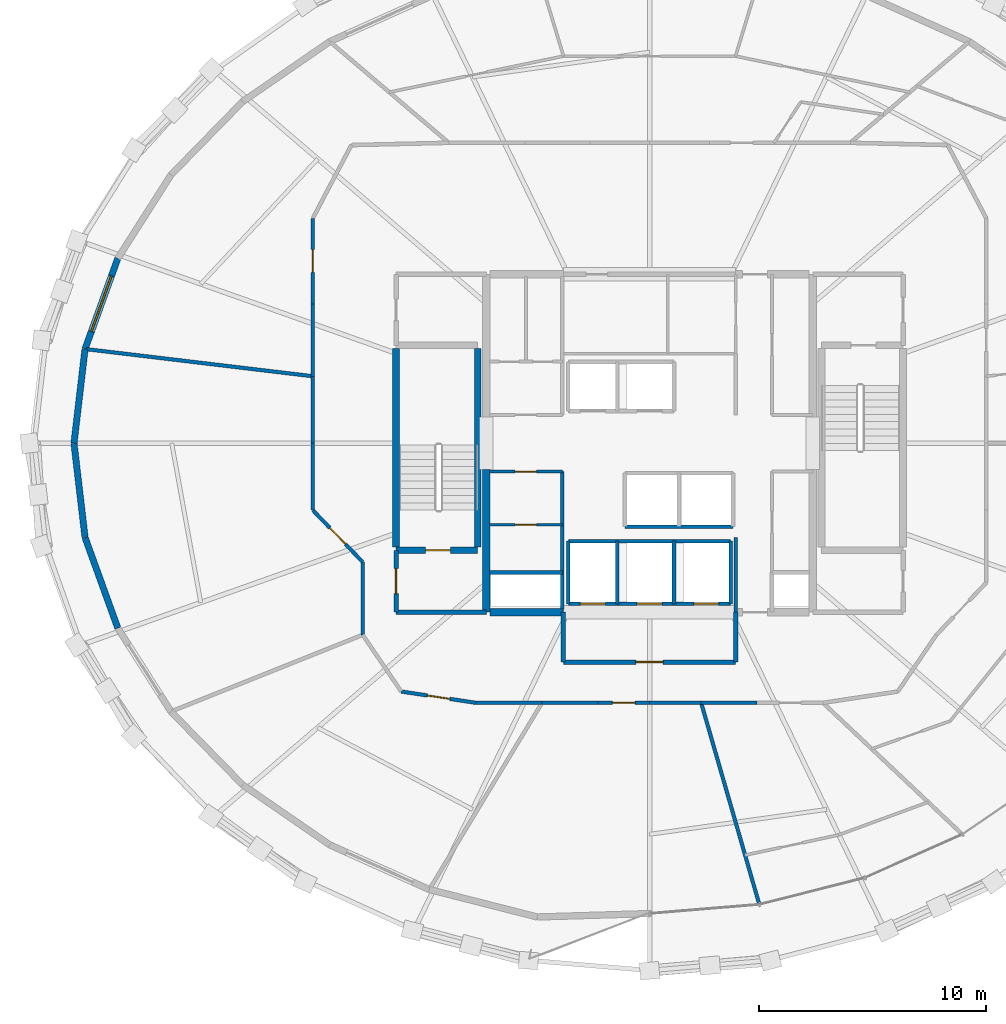
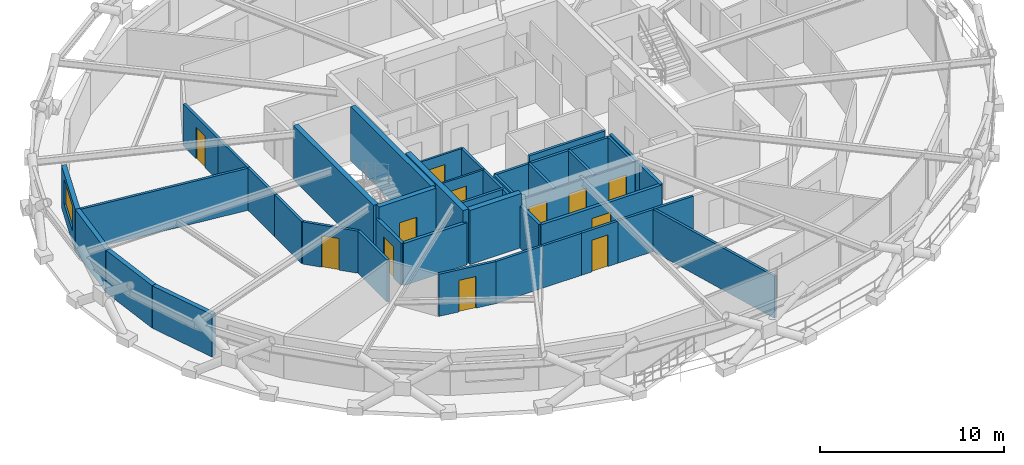
# One storey, part 12 of 16: 40 walls, 12 doors, 1 window, 13 openings.
"""IFC4 building model written with IfcOpenShell, lengths in metres."""

from ifc_helpers import new_model, si_unit, direction, frame, frame_2d, origin, place, context, subcontext, project, spatial, rectangle, extrude, material, layer, layer_set, type_object, element, fill, save


model = new_model("IFC4")

# Units and contexts
model_context = context("Model", 3, precision=1e-05, world=origin(), true_north=direction((0.0, 1.0)))
body_context = subcontext(model_context, "Body", "Model", "MODEL_VIEW")
ifc_project = project(units=[si_unit("LENGTHUNIT", "METRE"), si_unit("AREAUNIT", "SQUARE_METRE"), si_unit("VOLUMEUNIT", "CUBIC_METRE"), si_unit("PLANEANGLEUNIT", "RADIAN"), si_unit("MASSUNIT", "GRAM", prefix="KILO")], contexts=[model_context])

# Site, building, storey
site_placement = place(None, origin())
site = spatial("IfcSite", under=ifc_project, at=site_placement, CompositionType="ELEMENT")
building_placement = place(site_placement, origin())
building = spatial("IfcBuilding", under=site, at=building_placement, Name="Veldorina Hangang Commons", CompositionType="ELEMENT")
storey_placement = place(building_placement, frame((0.0, 0.0, 185.60009765625)))
storey = spatial("IfcBuildingStorey", under=building, at=storey_placement, Name="L48", CompositionType="ELEMENT", Elevation=185.60009765625)

# Walls
ifc_material_1 = material(Name="Concrete C60/75", Category="concrete")
ifc_layer_1 = layer(ifc_material_1, 0.340087890625)
ifc_layer_set_1 = layer_set([ifc_layer_1], Name="Concrete C60/75")
wall_type_1 = type_object("IfcWallType", Name="CW-RC340-C60", PredefinedType="SHEAR", material=ifc_layer_set_1)
wall_1_placement = place(storey_placement, frame((24.800048828125, 16.550048828125, 0.0), z_axis=(0.0, 0.0, 1.0), x_axis=(0.0, 1.0, 0.0)))
element("IfcWall", 1, at=wall_1_placement, inside=storey, type_object=wall_type_1, Name="L48 W south core shear wall", PredefinedType="SHEAR", context=body_context, shape_type="SweptSolid", body=[
    extrude(rectangle(XDim=6.300048828125, YDim=0.340087890625, at=frame_2d((3.14990234375, 0.0))), origin(), (0.0, 0.0, 1.0), 3.599853515625),
])
wall_2_placement = place(storey_placement, frame((24.969970703125, 16.550048828125, 0.0), z_axis=(0.0, 0.0, 1.0), x_axis=(1.0, 0.0, 0.0)))
element("IfcWall", 2, at=wall_2_placement, inside=storey, type_object=wall_type_1, Name="L48 south-west core shear wall", PredefinedType="SHEAR", context=body_context, shape_type="SweptSolid", body=[
    extrude(rectangle(XDim=3.22998046875, YDim=0.340087890625, at=frame_2d((1.614990234375, 0.0))), origin(), (0.0, 0.0, 1.0), 3.599853515625),
])

# Wall, opening, window
ifc_material_2 = material(Name="Stone Roman Travertine", Category="masonry")
ifc_layer_2 = layer(ifc_material_2, 0.280029296875)
ifc_layer_set_2 = layer_set([ifc_layer_2], Name="Stone Roman Travertine")
wall_type_2 = type_object("IfcWallType", Name="EW-TRAV-280", PredefinedType="STANDARD", material=ifc_layer_set_2)
wall_3_placement = place(storey_placement, frame((8.548828125, 32.152587890625, 0.0), z_axis=(0.0, 0.0, 1.0), x_axis=(-0.339929618066, -0.940450878442, 0.0)))
wall_3 = element("IfcWall", 3, at=wall_3_placement, inside=storey, type_object=wall_type_2, Name="L48 travertine facade wall 14", PredefinedType="STANDARD", context=body_context, shape_type="SweptSolid", body=[
    extrude(rectangle(XDim=4.249755859375, YDim=0.280029296875, at=frame_2d((2.125, 0.0))), origin(), (0.0, 0.0, 1.0), 2.81982421875),
])
opening_1_placement = place(wall_3_placement, frame((0.82470703125, 0.0, 0.800048828125)))
opening_1 = element("IfcOpeningElement", 4, at=opening_1_placement, cuts=wall_3, Name="Opening W-02", PredefinedType="OPENING", context=body_context, shape_type="SweptSolid", body=[
    extrude(rectangle(XDim=2.60009765625, YDim=1.64990234375, at=frame_2d((1.300048828125, 0.824951171875))), frame((0.0, 0.14990234375, 0.0), z_axis=(0.0, -1.0, 0.0), x_axis=(1.0, 0.0, 0.0)), (0.0, 0.0, 1.0), 0.300048828125),
])
ifc_material_3 = material(Name="Glass Low-E Triple IGU", Category="glass")
window_type = type_object("IfcWindowType", Name="WIN-TWR-2600", PartitioningType="SINGLE_PANEL", PredefinedType="WINDOW", material=ifc_material_3)
window_placement = place(opening_1_placement, origin())
window = element("IfcWindow", 5, at=window_placement, inside=storey, type_object=window_type, Name="L48 facade window 14", OverallHeight=1.64990234375, OverallWidth=2.60009765625, PartitioningType="SINGLE_PANEL", PredefinedType="WINDOW", context=body_context, shape_type="SweptSolid", body=[
    extrude(rectangle(XDim=2.60009765625, YDim=1.64990234375, at=frame_2d((1.300048828125, 0.824951171875))), frame((0.0, 0.030029296875, 0.0), z_axis=(0.0, -1.0, 0.0), x_axis=(1.0, 0.0, 0.0)), (0.0, 0.0, 1.0), 0.06005859375),
])
fill(opening_1, window)

# Walls
for number, where, z_axis, x_axis, name in (
    (6, (7.104248046875, 28.156005859375, 0.0), (0.0, 0.0, 1.0), (-0.116512882188, -0.993189180511, 0.0), "L48 travertine facade wall 15"),
    (7, (6.61669921875, 24.0, 0.0), (0.0, 0.0, 1.0), (0.116512882188, -0.993189180511, 0.0), "L48 travertine facade wall 16"),
):
    element("IfcWall", number, at=place(storey_placement, frame(where, z_axis=z_axis, x_axis=x_axis)), inside=storey, type_object=wall_type_2, Name=name, PredefinedType="STANDARD", context=body_context, shape_type="SweptSolid", body=[
        extrude(rectangle(XDim=4.1845703125, YDim=0.280029296875, at=frame_2d((2.09228515625, 0.0))), origin(), (0.0, 0.0, 1.0), 2.81982421875),
    ])
wall_4_placement = place(storey_placement, frame((7.104248046875, 19.843994140625, 0.0), z_axis=(0.0, 0.0, 1.0), x_axis=(0.339929618066, -0.940450878442, 0.0)))
element("IfcWall", 8, at=wall_4_placement, inside=storey, type_object=wall_type_2, Name="L48 travertine facade wall 17", PredefinedType="STANDARD", context=body_context, shape_type="SweptSolid", body=[
    extrude(rectangle(XDim=4.249755859375, YDim=0.280029296875, at=frame_2d((2.125, 0.0))), origin(), (0.0, 0.0, 1.0), 2.81982421875),
])
ifc_material_4 = material(Name="Concrete C50/60", Category="concrete")
ifc_layer_3 = layer(ifc_material_4, 0.300048828125)
ifc_layer_set_3 = layer_set([ifc_layer_3], Name="Concrete C50/60")
wall_type_3 = type_object("IfcWallType", Name="SW-STAIR-300", PredefinedType="SHEAR", material=ifc_layer_set_3)
for number, where, z_axis, x_axis, name in (
    (9, (20.820068359375, 19.429931640625, 0.0), (0.0, 0.0, 1.0), (0.0, 1.0, 0.0), "L48 ST1 outer stair shear wall"),
    (10, (24.419921875, 19.429931640625, 0.0), (0.0, 0.0, 1.0), (0.0, 1.0, 0.0), "L48 ST1 inner stair shear wall"),
):
    element("IfcWall", number, at=place(storey_placement, frame(where, z_axis=z_axis, x_axis=x_axis)), inside=storey, type_object=wall_type_3, Name=name, PredefinedType="SHEAR", context=body_context, shape_type="SweptSolid", body=[
        extrude(rectangle(XDim=8.739990234375, YDim=0.300048828125, at=frame_2d((4.3701171875, 0.0))), origin(), (0.0, 0.0, 1.0), 3.599853515625),
    ])

# Wall, opening, door
wall_5_placement = place(storey_placement, frame((20.820068359375, 19.280029296875, 0.0), z_axis=(0.0, 0.0, 1.0), x_axis=(1.0, 0.0, 0.0)))
wall_5 = element("IfcWall", 11, at=wall_5_placement, inside=storey, type_object=wall_type_3, Name="L48 ST1 south stair shear wall", PredefinedType="SHEAR", context=body_context, shape_type="SweptSolid", body=[
    extrude(rectangle(XDim=3.599853515625, YDim=0.300048828125, at=frame_2d((1.7998046875, 0.0))), origin(), (0.0, 0.0, 1.0), 3.599853515625),
])
opening_2_placement = place(wall_5_placement, frame((1.300048828125, 0.0, 0.0)))
opening_2 = element("IfcOpeningElement", 12, at=opening_2_placement, cuts=wall_5, Name="Opening D-08", PredefinedType="OPENING", context=body_context, shape_type="SweptSolid", body=[
    extrude(rectangle(XDim=1.10009765625, YDim=2.10009765625, at=frame_2d((0.550048828125, 1.050048828125))), frame((0.0, 0.16015625, 0.0), z_axis=(0.0, -1.0, 0.0), x_axis=(1.0, 0.0, 0.0)), (0.0, 0.0, 1.0), 0.320068359375),
])
ifc_material_5 = material(Name="Steel Fire-Rated Smoke Seal", Category="steel")
door_type_1 = type_object("IfcDoorType", Name="DR-FIRE-1100", OperationType="SINGLE_SWING_RIGHT", PredefinedType="DOOR", material=ifc_material_5)
door_1_placement = place(opening_2_placement, origin())
door_1 = element("IfcDoor", 13, at=door_1_placement, inside=storey, type_object=door_type_1, Name="L48 Special Escape Stair ST-1 door", OperationType="SINGLE_SWING_LEFT", OverallHeight=2.10009765625, OverallWidth=1.10009765625, PredefinedType="DOOR", context=body_context, shape_type="SweptSolid", body=[
    extrude(rectangle(XDim=1.10009765625, YDim=2.10009765625, at=frame_2d((0.550048828125, 1.050048828125))), frame((0.0, 0.02490234375, 0.0), z_axis=(0.0, -1.0, 0.0), x_axis=(1.0, 0.0, 0.0)), (0.0, 0.0, 1.0), 0.050048828125),
])
fill(opening_2, door_1)

# Walls
ifc_material_6 = material(Name="Gypsum Fire-Rated Twin Stud Wall", Category="gypsum")
ifc_layer_4 = layer(ifc_material_6, 0.159912109375)
ifc_layer_set_4 = layer_set([ifc_layer_4], Name="Gypsum Fire-Rated Twin Stud Wall")
wall_type_4 = type_object("IfcWallType", Name="WL-FIRE-160", PredefinedType="SOLIDWALL", material=ifc_layer_set_4)
wall_6_placement = place(storey_placement, frame((35.800048828125, 16.550048828125, 0.0), z_axis=(0.0, 0.0, 1.0), x_axis=(0.0, 1.0, 0.0)))
element("IfcWall", 14, at=wall_6_placement, inside=storey, type_object=wall_type_4, Name="L48 Lift passage SW wall 009", PredefinedType="SOLIDWALL", context=body_context, shape_type="SweptSolid", body=[
    extrude(rectangle(XDim=3.300048828125, YDim=0.159912109375, at=frame_2d((1.64990234375, 0.0))), origin(), (0.0, 0.0, 1.0), 2.7998046875),
])
wall_7_placement = place(storey_placement, frame((30.919921875, 20.320068359375, 0.0), z_axis=(0.0, 0.0, 1.0), x_axis=(1.0, 0.0, 0.0)))
element("IfcWall", 15, at=wall_7_placement, inside=storey, type_object=wall_type_4, Name="L48 Shuttle-high rear shaft wall 021", PredefinedType="SOLIDWALL", context=body_context, shape_type="SweptSolid", body=[
    extrude(rectangle(XDim=4.760009765625, YDim=0.159912109375, at=frame_2d((2.3798828125, 0.0))), origin(), (0.0, 0.0, 1.0), 2.7998046875),
])

# Wall, openings, doors
wall_8_placement = place(storey_placement, frame((28.419921875, 16.919921875, 0.0), z_axis=(0.0, 0.0, 1.0), x_axis=(1.0, 0.0, 0.0)))
wall_8 = element("IfcWall", 16, at=wall_8_placement, inside=storey, type_object=wall_type_4, Name="L48 Emergency front shaft wall 025", PredefinedType="SOLIDWALL", context=body_context, shape_type="SweptSolid", body=[
    extrude(rectangle(XDim=7.16015625, YDim=0.159912109375, at=frame_2d((3.580078125, 0.0))), origin(), (0.0, 0.0, 1.0), 2.7998046875),
])
opening_3_placement = place(wall_8_placement, frame((0.530029296875, 0.0, 0.0)))
opening_3 = element("IfcOpeningElement", 17, at=opening_3_placement, cuts=wall_8, Name="Opening LD-03", PredefinedType="OPENING", context=body_context, shape_type="SweptSolid", body=[
    extrude(rectangle(XDim=1.10009765625, YDim=2.14990234375, at=frame_2d((0.550048828125, 1.074951171875))), frame((0.0, 0.08984375, 0.0), z_axis=(0.0, -1.0, 0.0), x_axis=(1.0, 0.0, 0.0)), (0.0, 0.0, 1.0), 0.179931640625),
])
opening_4_placement = place(wall_8_placement, frame((3.030029296875, 0.0, 0.0)))
opening_4 = element("IfcOpeningElement", 18, at=opening_4_placement, cuts=wall_8, Name="Opening LD-03", PredefinedType="OPENING", context=body_context, shape_type="SweptSolid", body=[
    extrude(rectangle(XDim=1.10009765625, YDim=2.14990234375, at=frame_2d((0.550048828125, 1.074951171875))), frame((0.0, 0.08984375, 0.0), z_axis=(0.0, -1.0, 0.0), x_axis=(1.0, 0.0, 0.0)), (0.0, 0.0, 1.0), 0.179931640625),
])
opening_5_placement = place(wall_8_placement, frame((5.530029296875, 0.0, 0.0)))
opening_5 = element("IfcOpeningElement", 19, at=opening_5_placement, cuts=wall_8, Name="Opening LD-03", PredefinedType="OPENING", context=body_context, shape_type="SweptSolid", body=[
    extrude(rectangle(XDim=1.10009765625, YDim=2.14990234375, at=frame_2d((0.550048828125, 1.074951171875))), frame((0.0, 0.08984375, 0.0), z_axis=(0.0, -1.0, 0.0), x_axis=(1.0, 0.0, 0.0)), (0.0, 0.0, 1.0), 0.179931640625),
])
ifc_material_7 = material(Name="Stainless Steel Firefighting Lift Door", Category="steel")
door_type_2 = type_object("IfcDoorType", Name="DR-LIFT-FF1100", OperationType="SLIDING_TO_RIGHT", PredefinedType="DOOR", material=ifc_material_7)
door_2_placement = place(opening_3_placement, origin())
door_2 = element("IfcDoor", 20, at=door_2_placement, inside=storey, type_object=door_type_2, Name="L48 Emergency lift FFL-1 landing door 008", OperationType="SLIDING_TO_RIGHT", OverallHeight=2.14990234375, OverallWidth=1.10009765625, PredefinedType="DOOR", context=body_context, shape_type="SweptSolid", body=[
    extrude(rectangle(XDim=1.10009765625, YDim=2.14990234375, at=frame_2d((0.550048828125, 1.074951171875))), frame((0.0, 0.02490234375, 0.0), z_axis=(0.0, -1.0, 0.0), x_axis=(1.0, 0.0, 0.0)), (0.0, 0.0, 1.0), 0.050048828125),
])
fill(opening_3, door_2)
door_3_placement = place(opening_4_placement, origin())
door_3 = element("IfcDoor", 21, at=door_3_placement, inside=storey, type_object=door_type_2, Name="L48 Emergency lift FFL-2 landing door 009", OperationType="SLIDING_TO_RIGHT", OverallHeight=2.14990234375, OverallWidth=1.10009765625, PredefinedType="DOOR", context=body_context, shape_type="SweptSolid", body=[
    extrude(rectangle(XDim=1.10009765625, YDim=2.14990234375, at=frame_2d((0.550048828125, 1.074951171875))), frame((0.0, 0.02490234375, 0.0), z_axis=(0.0, -1.0, 0.0), x_axis=(1.0, 0.0, 0.0)), (0.0, 0.0, 1.0), 0.050048828125),
])
fill(opening_4, door_3)
door_4_placement = place(opening_5_placement, origin())
door_4 = element("IfcDoor", 22, at=door_4_placement, inside=storey, type_object=door_type_2, Name="L48 Emergency lift EVL-1 landing door 010", OperationType="SLIDING_TO_RIGHT", OverallHeight=2.14990234375, OverallWidth=1.10009765625, PredefinedType="DOOR", context=body_context, shape_type="SweptSolid", body=[
    extrude(rectangle(XDim=1.10009765625, YDim=2.14990234375, at=frame_2d((0.550048828125, 1.074951171875))), frame((0.0, 0.02490234375, 0.0), z_axis=(0.0, -1.0, 0.0), x_axis=(1.0, 0.0, 0.0)), (0.0, 0.0, 1.0), 0.050048828125),
])
fill(opening_5, door_4)

# Walls
wall_9_placement = place(storey_placement, frame((28.419921875, 19.679931640625, 0.0), z_axis=(0.0, 0.0, 1.0), x_axis=(1.0, 0.0, 0.0)))
element("IfcWall", 23, at=wall_9_placement, inside=storey, type_object=wall_type_4, Name="L48 Emergency rear shaft wall 026", PredefinedType="SOLIDWALL", context=body_context, shape_type="SweptSolid", body=[
    extrude(rectangle(XDim=7.16015625, YDim=0.159912109375, at=frame_2d((3.580078125, 0.0))), origin(), (0.0, 0.0, 1.0), 2.7998046875),
])
for number, where, z_axis, x_axis, name in (
    (24, (28.419921875, 16.919921875, 0.0), (0.0, 0.0, 1.0), (0.0, 1.0, 0.0), "L48 FFL-1 west shaft wall 027"),
    (25, (30.580078125, 16.919921875, 0.0), (0.0, 0.0, 1.0), (0.0, 1.0, 0.0), "L48 FFL-1 east shaft wall 028"),
    (26, (33.080078125, 16.919921875, 0.0), (0.0, 0.0, 1.0), (0.0, 1.0, 0.0), "L48 FFL-2 east shaft wall 029"),
    (27, (35.580078125, 16.919921875, 0.0), (0.0, 0.0, 1.0), (0.0, 1.0, 0.0), "L48 EVL-1 east shaft wall 030"),
):
    element("IfcWall", number, at=place(storey_placement, frame(where, z_axis=z_axis, x_axis=x_axis)), inside=storey, type_object=wall_type_4, Name=name, PredefinedType="SOLIDWALL", context=body_context, shape_type="SweptSolid", body=[
        extrude(rectangle(XDim=2.760009765625, YDim=0.159912109375, at=frame_2d((1.3798828125, 0.0))), origin(), (0.0, 0.0, 1.0), 2.7998046875),
    ])
wall_10_placement = place(storey_placement, frame((24.949951171875, 18.300048828125, 0.0), z_axis=(0.0, 0.0, 1.0), x_axis=(1.0, 0.0, 0.0)))
element("IfcWall", 28, at=wall_10_placement, inside=storey, type_object=wall_type_4, Name="L48 Electrical riser wall 035", PredefinedType="SOLIDWALL", context=body_context, shape_type="SweptSolid", body=[
    extrude(rectangle(XDim=3.199951171875, YDim=0.159912109375, at=frame_2d((1.60009765625, 0.0))), origin(), (0.0, 0.0, 1.0), 2.7998046875),
])
wall_11_placement = place(storey_placement, frame((28.14990234375, 16.699951171875, 0.0), z_axis=(0.0, 0.0, 1.0), x_axis=(0.0, 1.0, 0.0)))
element("IfcWall", 29, at=wall_11_placement, inside=storey, type_object=wall_type_4, Name="L48 SW core inner wall 036", PredefinedType="SOLIDWALL", context=body_context, shape_type="SweptSolid", body=[
    extrude(rectangle(XDim=6.050048828125, YDim=0.159912109375, at=frame_2d((3.02490234375, 0.0))), origin(), (0.0, 0.0, 1.0), 2.7998046875),
])

# Wall, opening, door
wall_12_placement = place(storey_placement, frame((17.14990234375, 33.922607421875, 0.0), z_axis=(0.0, 0.0, 1.0), x_axis=(0.0, -1.0, 0.0)))
wall_12 = element("IfcWall", 30, at=wall_12_placement, inside=storey, type_object=wall_type_4, Name="L48 U-corridor outer wall 13 061", PredefinedType="SOLIDWALL", context=body_context, shape_type="SweptSolid", body=[
    extrude(rectangle(XDim=3.771484375, YDim=0.159912109375, at=frame_2d((1.8857421875, 0.0))), origin(), (0.0, 0.0, 1.0), 2.7998046875),
])
opening_6_placement = place(wall_12_placement, frame((1.3857421875, 0.0, 0.0)))
opening_6 = element("IfcOpeningElement", 31, at=opening_6_placement, cuts=wall_12, Name="Opening D-05", PredefinedType="OPENING", context=body_context, shape_type="SweptSolid", body=[
    extrude(rectangle(XDim=1.0, YDim=2.10009765625, at=frame_2d((0.5, 1.050048828125))), frame((0.0, 0.08984375, 0.0), z_axis=(0.0, -1.0, 0.0), x_axis=(1.0, 0.0, 0.0)), (0.0, 0.0, 1.0), 0.179931640625),
])
ifc_material_8 = material(Name="Timber Solid Core Acoustic", Category="wood")
door_type_3 = type_object("IfcDoorType", Name="DR-INT-1000", OperationType="SINGLE_SWING_RIGHT", PredefinedType="DOOR", material=ifc_material_8)
door_5_placement = place(opening_6_placement, origin())
door_5 = element("IfcDoor", 32, at=door_5_placement, inside=storey, type_object=door_type_3, Name="L48 Floor Study Room 4 door 032", OperationType="SINGLE_SWING_RIGHT", OverallHeight=2.10009765625, OverallWidth=1.0, PredefinedType="DOOR", context=body_context, shape_type="SweptSolid", body=[
    extrude(rectangle(XDim=1.0, YDim=2.10009765625, at=frame_2d((0.5, 1.050048828125))), frame((0.0, 0.02490234375, 0.0), z_axis=(0.0, -1.0, 0.0), x_axis=(1.0, 0.0, 0.0)), (0.0, 0.0, 1.0), 0.050048828125),
])
fill(opening_6, door_5)

# Walls
wall_13_placement = place(storey_placement, frame((17.14990234375, 30.151123046875, 0.0), z_axis=(0.0, 0.0, 1.0), x_axis=(0.0, -1.0, 0.0)))
element("IfcWall", 33, at=wall_13_placement, inside=storey, type_object=wall_type_4, Name="L48 U-corridor outer wall 14 062", PredefinedType="SOLIDWALL", context=body_context, shape_type="SweptSolid", body=[
    extrude(rectangle(XDim=3.197265625, YDim=0.159912109375, at=frame_2d((1.5986328125, 0.0))), origin(), (0.0, 0.0, 1.0), 2.7998046875),
])
for number, where, z_axis, x_axis, name in (
    (34, (17.14990234375, 26.953857421875, 0.0), (0.0, 0.0, 1.0), (0.0, -1.0, 0.0), "L48 U-corridor outer wall 15 063"),
    (35, (17.14990234375, 24.0, 0.0), (0.0, 0.0, 1.0), (0.0, -1.0, 0.0), "L48 U-corridor outer wall 16 064"),
):
    element("IfcWall", number, at=place(storey_placement, frame(where, z_axis=z_axis, x_axis=x_axis)), inside=storey, type_object=wall_type_4, Name=name, PredefinedType="SOLIDWALL", context=body_context, shape_type="SweptSolid", body=[
        extrude(rectangle(XDim=2.953857421875, YDim=0.159912109375, at=frame_2d((1.47705078125, 0.0))), origin(), (0.0, 0.0, 1.0), 2.7998046875),
    ])

# Wall, opening, door
wall_14_placement = place(storey_placement, frame((17.14990234375, 21.046142578125, 0.0), z_axis=(0.0, 0.0, 1.0), x_axis=(0.693473090138, -0.72048252807, 0.0)))
wall_14 = element("IfcWall", 36, at=wall_14_placement, inside=storey, type_object=wall_type_4, Name="L48 U-corridor outer wall 17 065", PredefinedType="SOLIDWALL", context=body_context, shape_type="SweptSolid", body=[
    extrude(rectangle(XDim=3.172607421875, YDim=0.159912109375, at=frame_2d((1.58642578125, 0.0))), origin(), (0.0, 0.0, 1.0), 2.7998046875),
])
opening_7_placement = place(wall_14_placement, frame((1.086181640625, 0.0, 0.0)))
opening_7 = element("IfcOpeningElement", 37, at=opening_7_placement, cuts=wall_14, Name="Opening D-05", PredefinedType="OPENING", context=body_context, shape_type="SweptSolid", body=[
    extrude(rectangle(XDim=1.0, YDim=2.10009765625, at=frame_2d((0.5, 1.050048828125))), frame((0.0, 0.08984375, 0.0), z_axis=(0.0, -1.0, 0.0), x_axis=(1.0, 0.0, 0.0)), (0.0, 0.0, 1.0), 0.179931640625),
])
door_6_placement = place(opening_7_placement, origin())
door_6 = element("IfcDoor", 38, at=door_6_placement, inside=storey, type_object=door_type_3, Name="L48 Floor Study Room 5 door 033", OperationType="SINGLE_SWING_LEFT", OverallHeight=2.10009765625, OverallWidth=1.0, PredefinedType="DOOR", context=body_context, shape_type="SweptSolid", body=[
    extrude(rectangle(XDim=1.0, YDim=2.10009765625, at=frame_2d((0.5, 1.050048828125))), frame((0.0, 0.02490234375, 0.0), z_axis=(0.0, -1.0, 0.0), x_axis=(1.0, 0.0, 0.0)), (0.0, 0.0, 1.0), 0.050048828125),
])
fill(opening_7, door_6)

# Wall
wall_15_placement = place(storey_placement, frame((19.35009765625, 18.76025390625, 0.0), z_axis=(0.0, 0.0, 1.0), x_axis=(0.0, -1.0, 0.0)))
element("IfcWall", 39, at=wall_15_placement, inside=storey, type_object=wall_type_4, Name="L48 U-corridor outer wall 18 066", PredefinedType="SOLIDWALL", context=body_context, shape_type="SweptSolid", body=[
    extrude(rectangle(XDim=3.212646484375, YDim=0.159912109375, at=frame_2d((1.6064453125, 0.0))), origin(), (0.0, 0.0, 1.0), 2.7998046875),
])

# Wall, opening, door
wall_16_placement = place(storey_placement, frame((21.050048828125, 13.050048828125, 0.0), z_axis=(0.0, 0.0, 1.0), x_axis=(0.988710906508, -0.149835721217, 0.0)))
wall_16 = element("IfcWall", 40, at=wall_16_placement, inside=storey, type_object=wall_type_4, Name="L48 U-corridor outer wall 20 068", PredefinedType="SOLIDWALL", context=body_context, shape_type="SweptSolid", body=[
    extrude(rectangle(XDim=3.3369140625, YDim=0.159912109375, at=frame_2d((1.66845703125, 0.0))), origin(), (0.0, 0.0, 1.0), 2.7998046875),
])
opening_8_placement = place(wall_16_placement, frame((1.16845703125, 0.0, 0.0)))
opening_8 = element("IfcOpeningElement", 41, at=opening_8_placement, cuts=wall_16, Name="Opening D-05", PredefinedType="OPENING", context=body_context, shape_type="SweptSolid", body=[
    extrude(rectangle(XDim=1.0, YDim=2.10009765625, at=frame_2d((0.5, 1.050048828125))), frame((0.0, 0.08984375, 0.0), z_axis=(0.0, -1.0, 0.0), x_axis=(1.0, 0.0, 0.0)), (0.0, 0.0, 1.0), 0.179931640625),
])
door_7_placement = place(opening_8_placement, origin())
door_7 = element("IfcDoor", 42, at=door_7_placement, inside=storey, type_object=door_type_3, Name="L48 Seminar Focus Room 6 door 034", OperationType="SINGLE_SWING_RIGHT", OverallHeight=2.10009765625, OverallWidth=1.0, PredefinedType="DOOR", context=body_context, shape_type="SweptSolid", body=[
    extrude(rectangle(XDim=1.0, YDim=2.10009765625, at=frame_2d((0.5, 1.050048828125))), frame((0.0, 0.02490234375, 0.0), z_axis=(0.0, -1.0, 0.0), x_axis=(1.0, 0.0, 0.0)), (0.0, 0.0, 1.0), 0.050048828125),
])
fill(opening_8, door_7)

# Walls
wall_17_placement = place(storey_placement, frame((24.349365234375, 12.550048828125, 0.0), z_axis=(0.0, 0.0, 1.0), x_axis=(1.0, 0.0, 0.0)))
element("IfcWall", 43, at=wall_17_placement, inside=storey, type_object=wall_type_4, Name="L48 U-corridor outer wall 21 069", PredefinedType="SOLIDWALL", context=body_context, shape_type="SweptSolid", body=[
    extrude(rectangle(XDim=2.907958984375, YDim=0.159912109375, at=frame_2d((1.4541015625, 0.0))), origin(), (0.0, 0.0, 1.0), 2.7998046875),
])
wall_18_placement = place(storey_placement, frame((27.25732421875, 12.550048828125, 0.0), z_axis=(0.0, 0.0, 1.0), x_axis=(1.0, 0.0, 0.0)))
element("IfcWall", 44, at=wall_18_placement, inside=storey, type_object=wall_type_4, Name="L48 U-corridor outer wall 22 070", PredefinedType="SOLIDWALL", context=body_context, shape_type="SweptSolid", body=[
    extrude(rectangle(XDim=2.465087890625, YDim=0.159912109375, at=frame_2d((1.232421875, 0.0))), origin(), (0.0, 0.0, 1.0), 2.7998046875),
])

# Wall, opening, door
wall_19_placement = place(storey_placement, frame((29.722412109375, 12.550048828125, 0.0), z_axis=(0.0, 0.0, 1.0), x_axis=(1.0, 0.0, 0.0)))
wall_19 = element("IfcWall", 45, at=wall_19_placement, inside=storey, type_object=wall_type_4, Name="L48 U-corridor outer wall 23 071", PredefinedType="SOLIDWALL", context=body_context, shape_type="SweptSolid", body=[
    extrude(rectangle(XDim=2.277587890625, YDim=0.159912109375, at=frame_2d((1.138671875, 0.0))), origin(), (0.0, 0.0, 1.0), 2.7998046875),
])
opening_9_placement = place(wall_19_placement, frame((0.638671875, 0.0, 0.0)))
opening_9 = element("IfcOpeningElement", 46, at=opening_9_placement, cuts=wall_19, Name="Opening D-05", PredefinedType="OPENING", context=body_context, shape_type="SweptSolid", body=[
    extrude(rectangle(XDim=1.0, YDim=2.10009765625, at=frame_2d((0.5, 1.050048828125))), frame((0.0, 0.08984375, 0.0), z_axis=(0.0, -1.0, 0.0), x_axis=(1.0, 0.0, 0.0)), (0.0, 0.0, 1.0), 0.179931640625),
])
door_8_placement = place(opening_9_placement, origin())
door_8 = element("IfcDoor", 47, at=door_8_placement, inside=storey, type_object=door_type_3, Name="L48 Seminar Focus Room 7 door 035", OperationType="SINGLE_SWING_LEFT", OverallHeight=2.10009765625, OverallWidth=1.0, PredefinedType="DOOR", context=body_context, shape_type="SweptSolid", body=[
    extrude(rectangle(XDim=1.0, YDim=2.10009765625, at=frame_2d((0.5, 1.050048828125))), frame((0.0, 0.02490234375, 0.0), z_axis=(0.0, -1.0, 0.0), x_axis=(1.0, 0.0, 0.0)), (0.0, 0.0, 1.0), 0.050048828125),
])
fill(opening_9, door_8)

# Walls
wall_20_placement = place(storey_placement, frame((32.0, 12.550048828125, 0.0), z_axis=(0.0, 0.0, 1.0), x_axis=(1.0, 0.0, 0.0)))
element("IfcWall", 48, at=wall_20_placement, inside=storey, type_object=wall_type_4, Name="L48 U-corridor outer wall 24 072", PredefinedType="SOLIDWALL", context=body_context, shape_type="SweptSolid", body=[
    extrude(rectangle(XDim=2.277587890625, YDim=0.159912109375, at=frame_2d((1.138671875, 0.0))), origin(), (0.0, 0.0, 1.0), 2.7998046875),
])
wall_21_placement = place(storey_placement, frame((34.277587890625, 12.550048828125, 0.0), z_axis=(0.0, 0.0, 1.0), x_axis=(1.0, 0.0, 0.0)))
element("IfcWall", 49, at=wall_21_placement, inside=storey, type_object=wall_type_4, Name="L48 U-corridor outer wall 25 073", PredefinedType="SOLIDWALL", context=body_context, shape_type="SweptSolid", body=[
    extrude(rectangle(XDim=2.465087890625, YDim=0.159912109375, at=frame_2d((1.232421875, 0.0))), origin(), (0.0, 0.0, 1.0), 2.7998046875),
])
wall_22_placement = place(storey_placement, frame((17.14990234375, 26.953857421875, 0.0), z_axis=(0.0, 0.0, 1.0), x_axis=(-0.992914884823, 0.118827738756, 0.0)))
element("IfcWall", 50, at=wall_22_placement, inside=storey, type_object=wall_type_4, Name="L48 Unit party wall 15 103", PredefinedType="SOLIDWALL", context=body_context, shape_type="SweptSolid", body=[
    extrude(rectangle(XDim=10.0673828125, YDim=0.159912109375, at=frame_2d((5.03369140625, 0.0))), origin(), (0.0, 0.0, 1.0), 2.7998046875),
])
wall_23_placement = place(storey_placement, frame((34.277587890625, 12.550048828125, 0.0), z_axis=(0.0, 0.0, 1.0), x_axis=(0.277080625879, -0.960846671828, 0.0)))
element("IfcWall", 51, at=wall_23_placement, inside=storey, type_object=wall_type_4, Name="L48 Unit party wall 25 106", PredefinedType="SOLIDWALL", context=body_context, shape_type="SweptSolid", body=[
    extrude(rectangle(XDim=9.207763671875, YDim=0.159912109375, at=frame_2d((4.60400390625, 0.0))), origin(), (0.0, 0.0, 1.0), 2.7998046875),
])

# Wall, opening, door
ifc_material_9 = material(Name="Concrete Blockwork Fire Wall C30/37", Category="masonry")
ifc_layer_5 = layer(ifc_material_9, 0.199951171875)
ifc_layer_set_5 = layer_set([ifc_layer_5], Name="Concrete Blockwork Fire Wall C30/37")
wall_type_5 = type_object("IfcWallType", Name="WL-FIRE-200", PredefinedType="SOLIDWALL", material=ifc_layer_set_5)
wall_24_placement = place(storey_placement, frame((20.820068359375, 16.550048828125, 0.0), z_axis=(0.0, 0.0, 1.0), x_axis=(0.0, 1.0, 0.0)))
wall_24 = element("IfcWall", 52, at=wall_24_placement, inside=storey, type_object=wall_type_5, Name="L48 West vestibule outer wall 001", PredefinedType="SOLIDWALL", context=body_context, shape_type="SweptSolid", body=[
    extrude(rectangle(XDim=2.72998046875, YDim=0.199951171875, at=frame_2d((1.364990234375, 0.0))), origin(), (0.0, 0.0, 1.0), 2.7998046875),
])
opening_10_placement = place(wall_24_placement, frame((0.81494140625, 0.0, 0.0)))
opening_10 = element("IfcOpeningElement", 53, at=opening_10_placement, cuts=wall_24, Name="Opening D-08", PredefinedType="OPENING", context=body_context, shape_type="SweptSolid", body=[
    extrude(rectangle(XDim=1.10009765625, YDim=2.10009765625, at=frame_2d((0.550048828125, 1.050048828125))), frame((0.0, 0.10986328125, 0.0), z_axis=(0.0, -1.0, 0.0), x_axis=(1.0, 0.0, 0.0)), (0.0, 0.0, 1.0), 0.219970703125),
])
door_9_placement = place(opening_10_placement, origin())
door_9 = element("IfcDoor", 54, at=door_9_placement, inside=storey, type_object=door_type_1, Name="L48 West vestibule west door 001", OperationType="SINGLE_SWING_LEFT", OverallHeight=2.10009765625, OverallWidth=1.10009765625, PredefinedType="DOOR", context=body_context, shape_type="SweptSolid", body=[
    extrude(rectangle(XDim=1.10009765625, YDim=2.10009765625, at=frame_2d((0.550048828125, 1.050048828125))), frame((0.0, 0.02490234375, 0.0), z_axis=(0.0, -1.0, 0.0), x_axis=(1.0, 0.0, 0.0)), (0.0, 0.0, 1.0), 0.050048828125),
])
fill(opening_10, door_9)

# Walls
wall_25_placement = place(storey_placement, frame((20.820068359375, 16.550048828125, 0.0), z_axis=(0.0, 0.0, 1.0), x_axis=(1.0, 0.0, 0.0)))
element("IfcWall", 55, at=wall_25_placement, inside=storey, type_object=wall_type_5, Name="L48 West vestibule south wall 002", PredefinedType="SOLIDWALL", context=body_context, shape_type="SweptSolid", body=[
    extrude(rectangle(XDim=3.97998046875, YDim=0.199951171875, at=frame_2d((1.989990234375, 0.0))), origin(), (0.0, 0.0, 1.0), 2.7998046875),
])
for number, where, z_axis, x_axis, name in (
    (56, (28.199951171875, 14.35009765625, 0.0), (0.0, 0.0, 1.0), (0.0, 1.0, 0.0), "L48 FF lobby west wall 012"),
    (57, (35.800048828125, 14.35009765625, 0.0), (0.0, 0.0, 1.0), (0.0, 1.0, 0.0), "L48 FF lobby east wall 013"),
):
    element("IfcWall", number, at=place(storey_placement, frame(where, z_axis=z_axis, x_axis=x_axis)), inside=storey, type_object=wall_type_5, Name=name, PredefinedType="SOLIDWALL", context=body_context, shape_type="SweptSolid", body=[
        extrude(rectangle(XDim=2.199951171875, YDim=0.199951171875, at=frame_2d((1.10009765625, 0.0))), origin(), (0.0, 0.0, 1.0), 2.7998046875),
    ])

# Wall, opening, door
wall_26_placement = place(storey_placement, frame((28.199951171875, 14.35009765625, 0.0), z_axis=(0.0, 0.0, 1.0), x_axis=(1.0, 0.0, 0.0)))
wall_26 = element("IfcWall", 58, at=wall_26_placement, inside=storey, type_object=wall_type_5, Name="L48 FF lobby south wall 014", PredefinedType="SOLIDWALL", context=body_context, shape_type="SweptSolid", body=[
    extrude(rectangle(XDim=7.60009765625, YDim=0.199951171875, at=frame_2d((3.800048828125, 0.0))), origin(), (0.0, 0.0, 1.0), 2.7998046875),
])
opening_11_placement = place(wall_26_placement, frame((3.199951171875, 0.0, 0.0)))
opening_11 = element("IfcOpeningElement", 59, at=opening_11_placement, cuts=wall_26, Name="Opening D-09", PredefinedType="OPENING", context=body_context, shape_type="SweptSolid", body=[
    extrude(rectangle(XDim=1.199951171875, YDim=2.10009765625, at=frame_2d((0.60009765625, 1.050048828125))), frame((0.0, 0.10986328125, 0.0), z_axis=(0.0, -1.0, 0.0), x_axis=(1.0, 0.0, 0.0)), (0.0, 0.0, 1.0), 0.219970703125),
])
ifc_material_10 = material(Name="Steel Fire-Rated Corridor Door", Category="steel")
door_type_4 = type_object("IfcDoorType", Name="DR-FIRE-1200", OperationType="SINGLE_SWING_LEFT", PredefinedType="DOOR", material=ifc_material_10)
door_10_placement = place(opening_11_placement, origin())
door_10 = element("IfcDoor", 60, at=door_10_placement, inside=storey, type_object=door_type_4, Name="L48 FF lobby south corridor door 005", OperationType="SINGLE_SWING_LEFT", OverallHeight=2.10009765625, OverallWidth=1.199951171875, PredefinedType="DOOR", context=body_context, shape_type="SweptSolid", body=[
    extrude(rectangle(XDim=1.199951171875, YDim=2.10009765625, at=frame_2d((0.60009765625, 1.050048828125))), frame((0.0, 0.02490234375, 0.0), z_axis=(0.0, -1.0, 0.0), x_axis=(1.0, 0.0, 0.0)), (0.0, 0.0, 1.0), 0.050048828125),
])
fill(opening_11, door_10)

ifc_material_11 = material(Name="Gypsum Acoustic Stud Partition", Category="gypsum")
ifc_layer_6 = layer(ifc_material_11, 0.1201171875)
ifc_layer_set_6 = layer_set([ifc_layer_6], Name="Gypsum Acoustic Stud Partition")
wall_type_6 = type_object("IfcWallType", Name="WL-PART-120", PredefinedType="PARTITIONING", material=ifc_layer_set_6)
wall_27_placement = place(storey_placement, frame((24.949951171875, 22.75, 0.0), z_axis=(0.0, 0.0, 1.0), x_axis=(1.0, 0.0, 0.0)))
wall_27 = element("IfcWall", 61, at=wall_27_placement, inside=storey, type_object=wall_type_6, Name="L48 SW service north wall 040", PredefinedType="PARTITIONING", context=body_context, shape_type="SweptSolid", body=[
    extrude(rectangle(XDim=3.199951171875, YDim=0.1201171875, at=frame_2d((1.60009765625, 0.0))), origin(), (0.0, 0.0, 1.0), 2.7998046875),
])
opening_12_placement = place(wall_27_placement, frame((1.125, 0.0, 0.0)))
opening_12 = element("IfcOpeningElement", 62, at=opening_12_placement, cuts=wall_27, Name="Opening D-02", PredefinedType="OPENING", context=body_context, shape_type="SweptSolid", body=[
    extrude(rectangle(XDim=0.949951171875, YDim=2.10009765625, at=frame_2d((0.47509765625, 1.050048828125))), frame((0.0, 0.070068359375, 0.0), z_axis=(0.0, -1.0, 0.0), x_axis=(1.0, 0.0, 0.0)), (0.0, 0.0, 1.0), 0.14013671875),
])
door_type_5 = type_object("IfcDoorType", Name="DR-INT-950", OperationType="SINGLE_SWING_LEFT", PredefinedType="DOOR", material=ifc_material_8)
door_11_placement = place(opening_12_placement, origin())
door_11 = element("IfcDoor", 63, at=door_11_placement, inside=storey, type_object=door_type_5, Name="L48 Recycling room door 016", OperationType="SINGLE_SWING_RIGHT", OverallHeight=2.10009765625, OverallWidth=0.949951171875, PredefinedType="DOOR", context=body_context, shape_type="SweptSolid", body=[
    extrude(rectangle(XDim=0.949951171875, YDim=2.10009765625, at=frame_2d((0.47509765625, 1.050048828125))), frame((0.0, 0.02490234375, 0.0), z_axis=(0.0, -1.0, 0.0), x_axis=(1.0, 0.0, 0.0)), (0.0, 0.0, 1.0), 0.050048828125),
])
fill(opening_12, door_11)

wall_28_placement = place(storey_placement, frame((24.949951171875, 20.39990234375, 0.0), z_axis=(0.0, 0.0, 1.0), x_axis=(1.0, 0.0, 0.0)))
wall_28 = element("IfcWall", 64, at=wall_28_placement, inside=storey, type_object=wall_type_6, Name="L48 SW horizontal split 047", PredefinedType="PARTITIONING", context=body_context, shape_type="SweptSolid", body=[
    extrude(rectangle(XDim=3.199951171875, YDim=0.1201171875, at=frame_2d((1.60009765625, 0.0))), origin(), (0.0, 0.0, 1.0), 2.7998046875),
])
opening_13_placement = place(wall_28_placement, frame((1.125, 0.0, 0.0)))
opening_13 = element("IfcOpeningElement", 65, at=opening_13_placement, cuts=wall_28, Name="Opening D-02", PredefinedType="OPENING", context=body_context, shape_type="SweptSolid", body=[
    extrude(rectangle(XDim=0.949951171875, YDim=2.10009765625, at=frame_2d((0.47509765625, 1.050048828125))), frame((0.0, 0.070068359375, 0.0), z_axis=(0.0, -1.0, 0.0), x_axis=(1.0, 0.0, 0.0)), (0.0, 0.0, 1.0), 0.14013671875),
])
door_12_placement = place(opening_13_placement, origin())
door_12 = element("IfcDoor", 66, at=door_12_placement, inside=storey, type_object=door_type_5, Name="L48 Archive closet door 017", OperationType="SINGLE_SWING_LEFT", OverallHeight=2.10009765625, OverallWidth=0.949951171875, PredefinedType="DOOR", context=body_context, shape_type="SweptSolid", body=[
    extrude(rectangle(XDim=0.949951171875, YDim=2.10009765625, at=frame_2d((0.47509765625, 1.050048828125))), frame((0.0, 0.02490234375, 0.0), z_axis=(0.0, -1.0, 0.0), x_axis=(1.0, 0.0, 0.0)), (0.0, 0.0, 1.0), 0.050048828125),
])
fill(opening_13, door_12)

save(model, "model.ifc")
